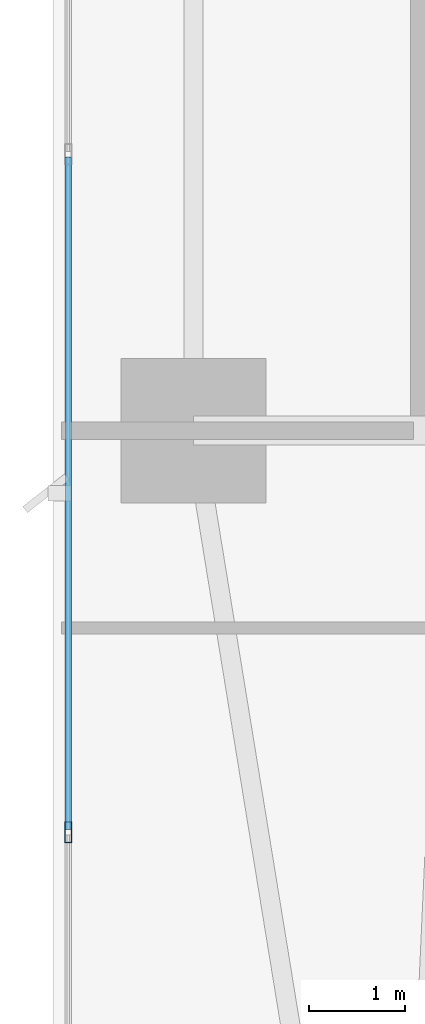
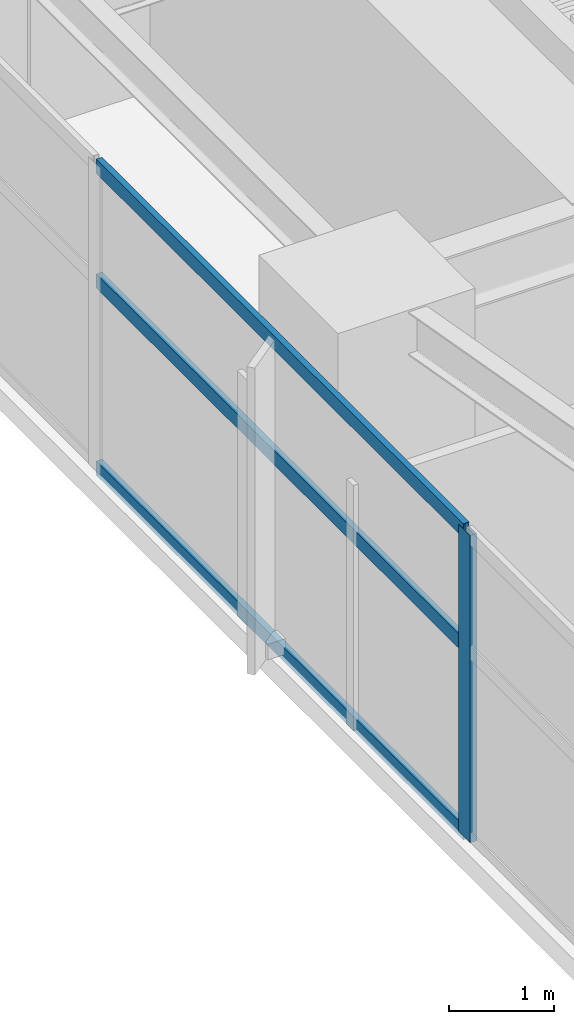
# One storey, part 4 of 30: 4 members, 1 element without a shape of its own.
"""IFC4 building model written with IfcOpenShell, lengths in metres."""

from ifc_helpers import new_model, si_unit, direction, frame, origin, origin_2d, place, context, subcontext, project, spatial, hollow_rectangle, extrude, material, layer, layer_set, material_profile, profile_set, type_object, element, aggregate, save


model = new_model("IFC4")

# Units and contexts
model_context = context("Model", 3, precision=1e-05, world=origin(), true_north=direction((0.0, 1.0)))
body_context = subcontext(model_context, "Body", "Model", "MODEL_VIEW")
ifc_project = project(units=[si_unit("LENGTHUNIT", "METRE"), si_unit("AREAUNIT", "SQUARE_METRE"), si_unit("VOLUMEUNIT", "CUBIC_METRE"), si_unit("PLANEANGLEUNIT", "RADIAN"), si_unit("MASSUNIT", "GRAM", prefix="KILO")], contexts=[model_context])

# Site, building, storey
site_placement = place(None, origin())
site = spatial("IfcSite", under=ifc_project, at=site_placement, CompositionType="ELEMENT")
building_placement = place(site_placement, origin())
building = spatial("IfcBuilding", under=site, at=building_placement, Name="Calvorn Quay Hotel", CompositionType="ELEMENT")
storey_placement = place(building_placement, frame((0.0, 0.0, 77.39990234375)))
storey = spatial("IfcBuildingStorey", under=building, at=storey_placement, Name="L18", CompositionType="ELEMENT", Elevation=77.39990234375)

# Curtain wall, members
ifc_material_1 = material(Name="Pale Anodised Aluminium and Low-E Glass", Category="aluminium")
ifc_layer = layer(ifc_material_1, 0.219970703125)
ifc_layer_set = layer_set([ifc_layer], Name="CW-SYS-Z1")
curtain_wall_type = type_object("IfcCurtainWallType", Name="CW-SYS-Z1", PredefinedType="NOTDEFINED", material=ifc_layer_set)
curtain_wall_placement = place(storey_placement, origin())
curtain_wall = element("IfcCurtainWall", 1, at=curtain_wall_placement, inside=storey, type_object=curtain_wall_type, Name="Tower West Curtain Wall (L18)", PredefinedType="NOTDEFINED")
ifc_material_2 = material(Name="Pale Anodised Aluminium 6063-T6", Category="aluminium")
ifc_material_profile_1 = material_profile(ifc_material_2, hollow_rectangle(XDim=0.074951171875, YDim=0.219970703125, WallThickness=0.00439453125, at=origin_2d()), Name="ALU-M220x75x4.5")
ifc_profile_set_1 = profile_set([ifc_material_profile_1], Name="Pale Anodised Aluminium 6063-T6")
member_type_1 = type_object("IfcMemberType", Name="CW-SYS-Z1-MUL", PredefinedType="MULLION", material=ifc_profile_set_1)
member_1_placement = place(storey_placement, frame((0.14990234375, 12.63330078125, 0.0), z_axis=(0.0, 0.0, 1.0), x_axis=(-1.0, 0.0, 0.0)))
member_1 = element("IfcMember", 2, at=member_1_placement, type_object=member_type_1, Name="CW-L18-W mullion 2", PredefinedType="MULLION", context=body_context, shape_type="SweptSolid", body=[
    extrude(hollow_rectangle(XDim=0.074951171875, YDim=0.219970703125, WallThickness=0.00439453125, at=origin_2d()), origin(), (0.0, 0.0, 1.0), 3.56005859375),
])
ifc_material_3 = material(Name="Pale Anodised Aluminium 6063-T6", Category="aluminium")
ifc_material_profile_2 = material_profile(ifc_material_3, hollow_rectangle(XDim=0.06494140625, YDim=0.1650390625, WallThickness=0.00341796875, at=origin_2d()), Name="ALU-T165x65x3.5")
ifc_profile_set_2 = profile_set([ifc_material_profile_2], Name="Pale Anodised Aluminium 6063-T6")
member_type_2 = type_object("IfcMemberType", Name="CW-SYS-Z1-TRN", PredefinedType="USERDEFINED", material=ifc_profile_set_2)
member_2_placement = place(storey_placement, frame((0.14990234375, 12.663330078125, 0.030029296875), z_axis=(0.0, 1.0, 0.0), x_axis=(-1.0, 0.0, 0.0)))
member_2 = element("IfcMember", 3, at=member_2_placement, type_object=member_type_2, Name="CW-L18-W transom 2.1", ObjectType="TRANSOM", PredefinedType="USERDEFINED", context=body_context, shape_type="SweptSolid", body=[
    extrude(hollow_rectangle(XDim=0.06494140625, YDim=0.1650390625, WallThickness=0.00341796875, at=origin_2d()), origin(), (0.0, 0.0, 1.0), 6.973388671875),
])
member_3_placement = place(storey_placement, frame((0.14990234375, 12.663330078125, 2.2001953125), z_axis=(0.0, 1.0, 0.0), x_axis=(-1.0, 0.0, 0.0)))
member_3 = element("IfcMember", 4, at=member_3_placement, type_object=member_type_2, Name="CW-L18-W transom 2.2", ObjectType="TRANSOM", PredefinedType="USERDEFINED", context=body_context, shape_type="SweptSolid", body=[
    extrude(hollow_rectangle(XDim=0.06494140625, YDim=0.1650390625, WallThickness=0.00341796875, at=origin_2d()), origin(), (0.0, 0.0, 1.0), 6.973388671875),
])
member_4_placement = place(storey_placement, frame((0.14990234375, 12.663330078125, 3.530029296875), z_axis=(0.0, 1.0, 0.0), x_axis=(-1.0, 0.0, 0.0)))
member_4 = element("IfcMember", 5, at=member_4_placement, type_object=member_type_2, Name="CW-L18-W transom 2.3", ObjectType="TRANSOM", PredefinedType="USERDEFINED", context=body_context, shape_type="SweptSolid", body=[
    extrude(hollow_rectangle(XDim=0.06494140625, YDim=0.1650390625, WallThickness=0.00341796875, at=origin_2d()), origin(), (0.0, 0.0, 1.0), 6.973388671875),
])
aggregate(curtain_wall, [member_1, member_2, member_3, member_4])

save(model, "model.ifc")
